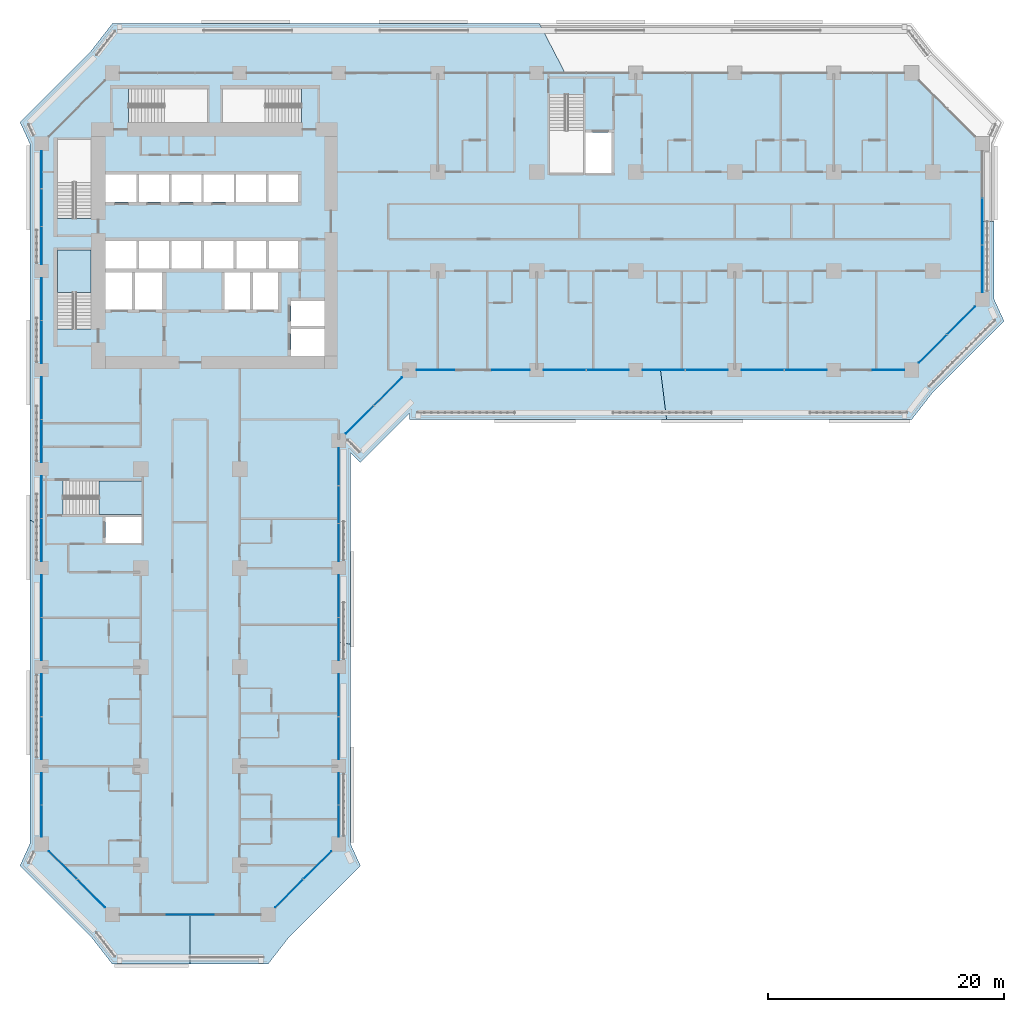
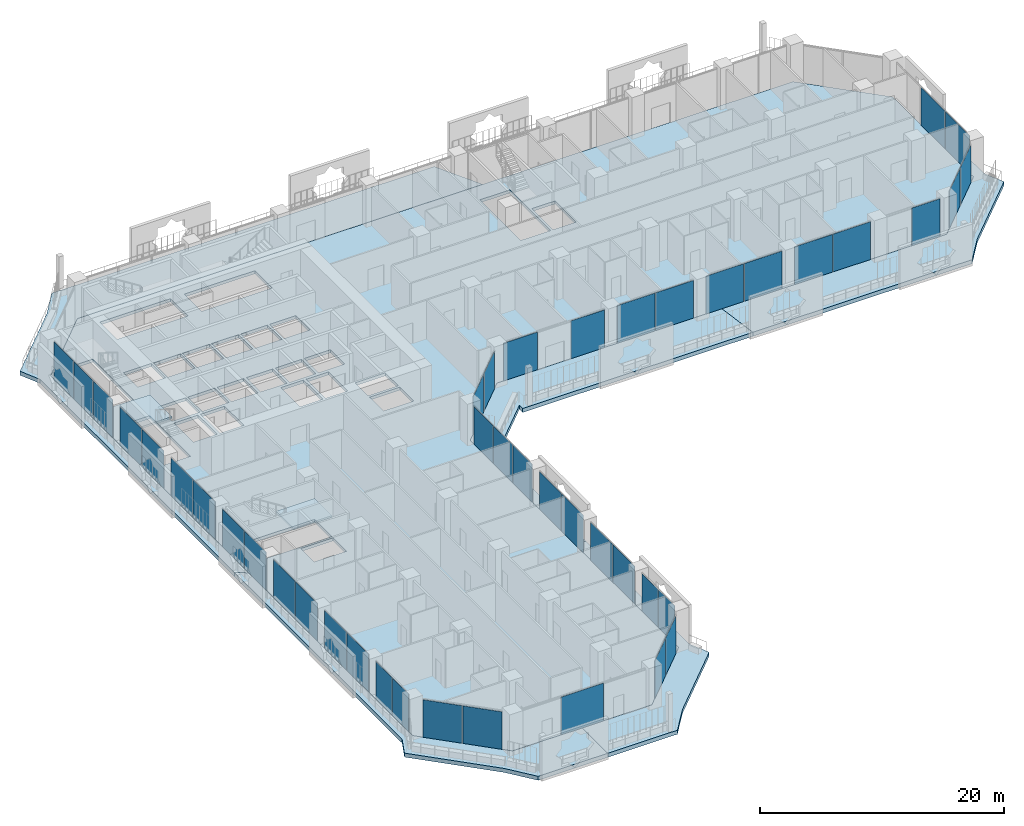
# One storey, part 11 of 28: 44 plates, 8 slabs, 11 elements without a shape of their own.
"""IFC4 building model written with IfcOpenShell, lengths in metres."""

import ifcopenshell
import ifcopenshell.guid

model = None  # the IFC model being written
_history = None  # IfcOwnerHistory: only IFC2X3 demands one
_inside = {}  # id of a spatial element -> (the spatial element, [elements in it])
_under = {}  # id of a project, library or spatial element -> (it, [spatial elements below it])
_declared = {}  # id of a project -> (the project, [libraries it declares])
_typed = {}  # id of a type object -> (the type object, [elements of that type])
_made_of = {}  # id of a material, layer set ... -> (it, [elements and type objects made of it])


def new_model(schema):
    """Start an empty IFC model of exactly this schema.

    Asked for "IFC4X3", IfcOpenShell would pick the latest addendum, in which some entities
    have other attributes; the version numbers below select the first issue.
    IFC2X3 requires an IfcOwnerHistory on every rooted entity: one is made here for all.
    """
    global model, _history
    if schema == "IFC4X3":
        model = ifcopenshell.file(schema_version=(4, 3, 0, 0))
    else:
        model = ifcopenshell.file(schema=schema)
    _inside.clear()
    _under.clear()
    _declared.clear()
    _typed.clear()
    _made_of.clear()
    _history = None
    if model.schema == "IFC2X3":
        org = make("IfcOrganization", Name="unknown")
        user = make(
            "IfcPersonAndOrganization",
            ThePerson=make("IfcPerson", FamilyName="unknown"),
            TheOrganization=org,
        )
        app = make(
            "IfcApplication",
            ApplicationDeveloper=org,
            Version="unknown",
            ApplicationFullName="unknown",
            ApplicationIdentifier="unknown",
        )
        _history = make(
            "IfcOwnerHistory",
            OwningUser=user,
            OwningApplication=app,
            ChangeAction="ADDED",
            CreationDate=0,
        )
    return model


def make(cls, **values):
    """One entity of the class cls with the attributes given. An attribute that is None is left unset."""
    return model.create_entity(
        cls, **{name: value for name, value in values.items() if value is not None}
    )


def rooted(cls, **values):
    """An entity with a GlobalId (a new one), such as an element, a storey or a relation."""
    return make(cls, GlobalId=ifcopenshell.guid.new(), OwnerHistory=_history, **values)


def si_unit(unit_type, name, prefix=None):
    """IfcSIUnit, for example si_unit("LENGTHUNIT", "METRE", prefix="MILLI")."""
    return make("IfcSIUnit", UnitType=unit_type, Prefix=prefix, Name=name)


def assignment(units):
    """IfcUnitAssignment: the units of a project."""
    return None if units is None else make("IfcUnitAssignment", Units=units)


def point(xyz):
    """IfcCartesianPoint."""
    return None if xyz is None else make("IfcCartesianPoint", Coordinates=xyz)


def direction(xyz):
    """IfcDirection."""
    return None if xyz is None else make("IfcDirection", DirectionRatios=xyz)


def frame(location, z_axis=None, x_axis=None):
    """IfcAxis2Placement3D, a coordinate frame: its origin and axes. An axis left out is left unset."""
    return make(
        "IfcAxis2Placement3D",
        Location=point(location),
        Axis=direction(z_axis),
        RefDirection=direction(x_axis),
    )


def frame_2d(location, x_axis=None):
    """IfcAxis2Placement2D, a coordinate frame in the plane: its origin and x axis."""
    return make(
        "IfcAxis2Placement2D", Location=point(location), RefDirection=direction(x_axis)
    )


def origin():
    """The frame at (0, 0, 0) with its axes left unset."""
    return frame((0.0, 0.0, 0.0))


def origin_2d():
    """The frame at (0, 0) in the plane with its x axis left unset."""
    return frame_2d((0.0, 0.0))


def place(relative_to, where):
    """IfcLocalPlacement: puts the frame where relative to a parent placement (None: the world)."""
    return make(
        "IfcLocalPlacement", PlacementRelTo=relative_to, RelativePlacement=where
    )


def context(
    kind, dimensions, precision=None, world=None, true_north=None, identifier=None
):
    """IfcGeometricRepresentationContext, for example the 3D "Model" context."""
    return make(
        "IfcGeometricRepresentationContext",
        ContextIdentifier=identifier,
        ContextType=kind,
        CoordinateSpaceDimension=dimensions,
        Precision=precision,
        WorldCoordinateSystem=world,
        TrueNorth=true_north,
    )


def subcontext(parent, identifier, kind, view, scale=None):
    """IfcGeometricRepresentationSubContext, for example "Body" below "Model"."""
    return make(
        "IfcGeometricRepresentationSubContext",
        ContextIdentifier=identifier,
        ContextType=kind,
        ParentContext=parent,
        TargetScale=scale,
        TargetView=view,
    )


def project(units=None, contexts=None):
    """IfcProject with its units and contexts."""
    return rooted(
        "IfcProject",
        Name="project",
        RepresentationContexts=contexts,
        UnitsInContext=assignment(units),
    )


def spatial(cls, under=None, at=None, **own):
    """A site, building, storey or space (cls), placed at a placement, below another one or the project."""
    s = rooted(cls, ObjectPlacement=at, **own)
    if under is not None:
        _under.setdefault(under.id(), (under, []))[1].append(s)
    return s


def polyline(points):
    """IfcPolyline through the points."""
    return make("IfcPolyline", Points=[point(p) for p in points])


def profile(cls, at=None, kind="AREA", **sizes):
    """A parametric profile (cls). Its sizes go by their IFC names, for example OverallWidth=200.0."""
    return make(cls, ProfileType=kind, Position=at, **sizes)


def rectangle(**sizes):
    """IfcRectangleProfileDef."""
    return profile("IfcRectangleProfileDef", **sizes)


def outline(outer, holes=None, kind="AREA"):
    """IfcArbitraryClosedProfileDef: a profile drawn as a closed curve; with holes, ...WithVoids."""
    if holes is None:
        return make("IfcArbitraryClosedProfileDef", ProfileType=kind, OuterCurve=outer)
    return make(
        "IfcArbitraryProfileDefWithVoids",
        ProfileType=kind,
        OuterCurve=outer,
        InnerCurves=holes,
    )


def extrude(swept, where, along, depth):
    """IfcExtrudedAreaSolid: the profile swept, set in the frame where, extruded along a direction by depth."""
    return make(
        "IfcExtrudedAreaSolid",
        SweptArea=swept,
        Position=where,
        ExtrudedDirection=direction(along),
        Depth=depth,
    )


def shape(context_of_items, identifier, shape_type, items):
    """IfcShapeRepresentation: the items that make up one representation, for example the "Body"."""
    return make(
        "IfcShapeRepresentation",
        ContextOfItems=context_of_items,
        RepresentationIdentifier=identifier,
        RepresentationType=shape_type,
        Items=items,
    )


def material(Name=None, Category=None):
    """IfcMaterial."""
    return make("IfcMaterial", Name=Name, Category=Category)


def layer(
    of_material, thickness, ventilated=None, Name=None, Category=None, Priority=None
):
    """IfcMaterialLayer: one layer of a wall or slab, of a material (None: an air gap)."""
    return make(
        "IfcMaterialLayer",
        Material=of_material,
        LayerThickness=thickness,
        IsVentilated=ventilated,
        Name=Name,
        Category=Category,
        Priority=Priority,
    )


def layer_set(layers, Name=None):
    """IfcMaterialLayerSet."""
    return make("IfcMaterialLayerSet", MaterialLayers=layers, LayerSetName=Name)


def made_of(thing, what):
    """Note that an element or type object is made of a material, layer set ...; save() writes the relation."""
    if what is not None:
        _made_of.setdefault(what.id(), (what, []))[1].append(thing)
    return thing


def type_object(cls, material=None, **own):
    """A type object (cls), such as IfcWallType, which elements share."""
    return made_of(rooted(cls, **own), material)


def element(
    cls,
    number,
    at=None,
    inside=None,
    cuts=None,
    type_object=None,
    material=None,
    context=None,
    identifier="Body",
    shape_type=None,
    held_by="IfcProductDefinitionShape",
    body=None,
    shapes=None,
    **own,
):
    """One element of the class cls, such as IfcWall. Its Tag is "e" and its number.

    at: its placement. inside: the storey or other place that contains it. cuts: it is an
    opening in that element (IfcRelVoidsElement). A single representation is given by context,
    identifier, shape_type and body (its items); several are given by shapes. held_by: the class
    of the entity that holds the representations. save() writes the other relations.
    """
    e = rooted(cls, Tag="e%d" % number, ObjectPlacement=at, **own)
    if body is not None:
        shapes = [shape(context, identifier, shape_type, body)]
    if shapes is not None:
        e.Representation = make(held_by, Representations=shapes)
    if inside is not None:
        _inside.setdefault(inside.id(), (inside, []))[1].append(e)
    if cuts is not None:
        rooted(
            "IfcRelVoidsElement", RelatingBuildingElement=cuts, RelatedOpeningElement=e
        )
    if type_object is not None:
        _typed.setdefault(type_object.id(), (type_object, []))[1].append(e)
    return made_of(e, material)


def aggregate(whole, parts):
    """IfcRelAggregates: a whole, such as a stair, and the parts it consists of."""
    return rooted("IfcRelAggregates", RelatingObject=whole, RelatedObjects=parts)


def save(model, path):
    """Write the relations noted so far, then the file.

    IfcRelAggregates (storeys below a building ...), IfcRelContainedInSpatialStructure (elements
    in a storey), IfcRelDefinesByType, IfcRelAssociatesMaterial and IfcRelDeclares: one each for
    every whole, place, type object, material and project.
    """
    for whole, parts in _under.values():
        aggregate(whole, parts)
    for where, things in _inside.values():
        rooted(
            "IfcRelContainedInSpatialStructure",
            RelatedElements=things,
            RelatingStructure=where,
        )
    for kind, things in _typed.values():
        rooted("IfcRelDefinesByType", RelatedObjects=things, RelatingType=kind)
    for what, things in _made_of.values():
        rooted("IfcRelAssociatesMaterial", RelatedObjects=things, RelatingMaterial=what)
    for by, libraries in _declared.values():
        rooted("IfcRelDeclares", RelatingContext=by, RelatedDefinitions=libraries)
    model.write(path)


model = new_model("IFC4")

# Units and contexts
model_context = context("Model", 3, precision=1e-05, world=origin(), true_north=direction((0.0, 1.0)))
body_context = subcontext(model_context, "Body", "Model", "MODEL_VIEW")
ifc_project = project(units=[si_unit("LENGTHUNIT", "METRE"), si_unit("AREAUNIT", "SQUARE_METRE"), si_unit("VOLUMEUNIT", "CUBIC_METRE"), si_unit("PLANEANGLEUNIT", "RADIAN"), si_unit("MASSUNIT", "GRAM", prefix="KILO")], contexts=[model_context])

# Site, building, storey
site_placement = place(None, origin())
site = spatial("IfcSite", under=ifc_project, at=site_placement, CompositionType="ELEMENT")
building_placement = place(site_placement, origin())
building = spatial("IfcBuilding", under=site, at=building_placement, Name="Kawkab Arch Medical Tower", CompositionType="ELEMENT")
storey_placement = place(building_placement, frame((0.0, 0.0, 77.0)))
storey = spatial("IfcBuildingStorey", under=building, at=storey_placement, Name="L17", CompositionType="ELEMENT", Elevation=77.0)

# Curtain wall, plates
ifc_material_1 = material(Name="Bronze anodised aluminium curtain wall frame", Category="aluminium")
ifc_layer_1 = layer(ifc_material_1, 0.159912109375)
ifc_layer_set_1 = layer_set([ifc_layer_1], Name="Bronze anodised aluminium curtain wall frame")
curtain_wall_type_1 = type_object("IfcCurtainWallType", Name="CW1 ward curtain wall", PredefinedType="NOTDEFINED", material=ifc_layer_set_1)
placement_1 = place(storey_placement, origin())
curtain_wall_1 = element("IfcCurtainWall", 1, at=placement_1, inside=storey, type_object=curtain_wall_type_1, Name="CW1 Ward curtain wall R01", PredefinedType="NOTDEFINED")
ifc_material_2 = material(Name="Tinted insulating glass, bronze low-e coating", Category="glass")
ifc_layer_2 = layer(ifc_material_2, 0.031982421875)
ifc_layer_set_2 = layer_set([ifc_layer_2], Name="Tinted insulating glass, bronze low-e coating")
plate_type_1 = type_object("IfcPlateType", Name="CW1 glazing unit 32", PredefinedType="CURTAIN_PANEL", material=ifc_layer_set_2)
plate_1_placement = place(storey_placement, frame((0.0, -8.205810546875, 0.0), z_axis=(0.0, 0.0, 1.0), x_axis=(0.0, -1.0, 0.0)))
plate_1 = element("IfcPlate", 2, at=plate_1_placement, type_object=plate_type_1, Name="CW1 glazing unit 1.1", PredefinedType="CURTAIN_PANEL", context=body_context, shape_type="SweptSolid", body=[
    extrude(rectangle(XDim=3.16162109375, YDim=0.031982421875, at=origin_2d()), origin(), (0.0, 0.0, 1.0), 3.780029296875),
])
plate_2_placement = place(storey_placement, frame((0.0, -11.41259765625, 0.0), z_axis=(0.0, 0.0, 1.0), x_axis=(0.0, -1.0, 0.0)))
plate_2 = element("IfcPlate", 3, at=plate_2_placement, type_object=plate_type_1, Name="CW1 glazing unit 1.2", PredefinedType="CURTAIN_PANEL", context=body_context, shape_type="SweptSolid", body=[
    extrude(rectangle(XDim=3.131591796875, YDim=0.031982421875, at=origin_2d()), origin(), (0.0, 0.0, 1.0), 3.780029296875),
])
plate_3_placement = place(storey_placement, frame((0.0, -14.619140625, 0.0), z_axis=(0.0, 0.0, 1.0), x_axis=(0.0, -1.0, 0.0)))
plate_3 = element("IfcPlate", 4, at=plate_3_placement, type_object=plate_type_1, Name="CW1 glazing unit 1.3", PredefinedType="CURTAIN_PANEL", context=body_context, shape_type="SweptSolid", body=[
    extrude(rectangle(XDim=3.16162109375, YDim=0.031982421875, at=origin_2d()), origin(), (0.0, 0.0, 1.0), 3.780029296875),
])
plate_4_placement = place(storey_placement, frame((0.0, -19.18505859375, 0.0), z_axis=(0.0, 0.0, 1.0), x_axis=(0.0, -1.0, 0.0)))
plate_4 = element("IfcPlate", 5, at=plate_4_placement, type_object=plate_type_1, Name="CW1 glazing unit 2.1", PredefinedType="CURTAIN_PANEL", context=body_context, shape_type="SweptSolid", body=[
    extrude(rectangle(XDim=3.570068359375, YDim=0.031982421875, at=origin_2d()), origin(), (0.0, 0.0, 1.0), 3.780029296875),
])
plate_5_placement = place(storey_placement, frame((0.0, -22.81494140625, 0.0), z_axis=(0.0, 0.0, 1.0), x_axis=(0.0, -1.0, 0.0)))
plate_5 = element("IfcPlate", 6, at=plate_5_placement, type_object=plate_type_1, Name="CW1 glazing unit 2.2", PredefinedType="CURTAIN_PANEL", context=body_context, shape_type="SweptSolid", body=[
    extrude(rectangle(XDim=3.570068359375, YDim=0.031982421875, at=origin_2d()), origin(), (0.0, 0.0, 1.0), 3.780029296875),
])
plate_6_placement = place(storey_placement, frame((0.0, -27.5849609375, 0.0), z_axis=(0.0, 0.0, 1.0), x_axis=(0.0, -1.0, 0.0)))
plate_6 = element("IfcPlate", 7, at=plate_6_placement, type_object=plate_type_1, Name="CW1 glazing unit 3.1", PredefinedType="CURTAIN_PANEL", context=body_context, shape_type="SweptSolid", body=[
    extrude(rectangle(XDim=3.570068359375, YDim=0.031982421875, at=origin_2d()), origin(), (0.0, 0.0, 1.0), 3.780029296875),
])
plate_7_placement = place(storey_placement, frame((0.0, -31.215087890625, 0.0), z_axis=(0.0, 0.0, 1.0), x_axis=(0.0, -1.0, 0.0)))
plate_7 = element("IfcPlate", 8, at=plate_7_placement, type_object=plate_type_1, Name="CW1 glazing unit 3.2", PredefinedType="CURTAIN_PANEL", context=body_context, shape_type="SweptSolid", body=[
    extrude(rectangle(XDim=3.570068359375, YDim=0.031982421875, at=origin_2d()), origin(), (0.0, 0.0, 1.0), 3.780029296875),
])
plate_8_placement = place(storey_placement, frame((0.0, -35.985107421875, 0.0), z_axis=(0.0, 0.0, 1.0), x_axis=(0.0, -1.0, 0.0)))
plate_8 = element("IfcPlate", 9, at=plate_8_placement, type_object=plate_type_1, Name="CW1 glazing unit 4.1", PredefinedType="CURTAIN_PANEL", context=body_context, shape_type="SweptSolid", body=[
    extrude(rectangle(XDim=3.570068359375, YDim=0.031982421875, at=origin_2d()), origin(), (0.0, 0.0, 1.0), 3.780029296875),
])
plate_9_placement = place(storey_placement, frame((0.0, -39.614990234375, 0.0), z_axis=(0.0, 0.0, 1.0), x_axis=(0.0, -1.0, 0.0)))
plate_9 = element("IfcPlate", 10, at=plate_9_placement, type_object=plate_type_1, Name="CW1 glazing unit 4.2", PredefinedType="CURTAIN_PANEL", context=body_context, shape_type="SweptSolid", body=[
    extrude(rectangle(XDim=3.570068359375, YDim=0.031982421875, at=origin_2d()), origin(), (0.0, 0.0, 1.0), 3.780029296875),
])
plate_10_placement = place(storey_placement, frame((0.0, -44.385009765625, 0.0), z_axis=(0.0, 0.0, 1.0), x_axis=(0.0, -1.0, 0.0)))
plate_10 = element("IfcPlate", 11, at=plate_10_placement, type_object=plate_type_1, Name="CW1 glazing unit 5.1", PredefinedType="CURTAIN_PANEL", context=body_context, shape_type="SweptSolid", body=[
    extrude(rectangle(XDim=3.570068359375, YDim=0.031982421875, at=origin_2d()), origin(), (0.0, 0.0, 1.0), 3.780029296875),
])
plate_11_placement = place(storey_placement, frame((0.0, -48.014892578125, 0.0), z_axis=(0.0, 0.0, 1.0), x_axis=(0.0, -1.0, 0.0)))
plate_11 = element("IfcPlate", 12, at=plate_11_placement, type_object=plate_type_1, Name="CW1 glazing unit 5.2", PredefinedType="CURTAIN_PANEL", context=body_context, shape_type="SweptSolid", body=[
    extrude(rectangle(XDim=3.570068359375, YDim=0.031982421875, at=origin_2d()), origin(), (0.0, 0.0, 1.0), 3.780029296875),
])
plate_12_placement = place(storey_placement, frame((0.0, -52.784912109375, 0.0), z_axis=(0.0, 0.0, 1.0), x_axis=(0.0, -1.0, 0.0)))
plate_12 = element("IfcPlate", 13, at=plate_12_placement, type_object=plate_type_1, Name="CW1 glazing unit 6.1", PredefinedType="CURTAIN_PANEL", context=body_context, shape_type="SweptSolid", body=[
    extrude(rectangle(XDim=3.570068359375, YDim=0.031982421875, at=origin_2d()), origin(), (0.0, 0.0, 1.0), 3.780029296875),
])
plate_13_placement = place(storey_placement, frame((0.0, -56.4150390625, 0.0), z_axis=(0.0, 0.0, 1.0), x_axis=(0.0, -1.0, 0.0)))
plate_13 = element("IfcPlate", 14, at=plate_13_placement, type_object=plate_type_1, Name="CW1 glazing unit 6.2", PredefinedType="CURTAIN_PANEL", context=body_context, shape_type="SweptSolid", body=[
    extrude(rectangle(XDim=3.570068359375, YDim=0.031982421875, at=origin_2d()), origin(), (0.0, 0.0, 1.0), 3.780029296875),
])
plate_14_placement = place(storey_placement, frame((0.0, -60.728759765625, 0.0), z_axis=(0.0, 0.0, 1.0), x_axis=(0.0, -1.0, 0.0)))
plate_14 = element("IfcPlate", 15, at=plate_14_placement, type_object=plate_type_1, Name="CW1 glazing unit 7.1", PredefinedType="CURTAIN_PANEL", context=body_context, shape_type="SweptSolid", body=[
    extrude(rectangle(XDim=2.657470703125, YDim=0.031982421875, at=origin_2d()), origin(), (0.0, 0.0, 1.0), 3.780029296875),
])
plate_15_placement = place(storey_placement, frame((0.0, -63.4462890625, 0.0), z_axis=(0.0, 0.0, 1.0), x_axis=(0.0, -1.0, 0.0)))
plate_15 = element("IfcPlate", 16, at=plate_15_placement, type_object=plate_type_1, Name="CW1 glazing unit 7.2", PredefinedType="CURTAIN_PANEL", context=body_context, shape_type="SweptSolid", body=[
    extrude(rectangle(XDim=2.657470703125, YDim=0.031982421875, at=origin_2d()), origin(), (0.0, 0.0, 1.0), 3.780029296875),
])
aggregate(curtain_wall_1, [plate_1, plate_2, plate_3, plate_4, plate_5, plate_6, plate_7, plate_8, plate_9, plate_10, plate_11, plate_12, plate_13, plate_14, plate_15])

# Curtain wall, plate
curtain_wall_2 = element("IfcCurtainWall", 17, at=placement_1, inside=storey, type_object=curtain_wall_type_1, Name="CW1 Ward curtain wall R03", PredefinedType="NOTDEFINED")
plate_16_placement = place(storey_placement, frame((12.60009765625, -71.39990234375, 0.0), z_axis=(0.0, 0.0, 1.0), x_axis=(1.0, 0.0, 0.0)))
plate_16 = element("IfcPlate", 18, at=plate_16_placement, type_object=plate_type_1, Name="CW1 glazing unit 1.2", PredefinedType="CURTAIN_PANEL", context=body_context, shape_type="SweptSolid", body=[
    extrude(rectangle(XDim=3.9833984375, YDim=0.031982421875, at=origin_2d()), origin(), (0.0, 0.0, 1.0), 3.780029296875),
])
aggregate(curtain_wall_2, [plate_16])

# Curtain wall, plates
curtain_wall_3 = element("IfcCurtainWall", 19, at=placement_1, inside=storey, type_object=curtain_wall_type_1, Name="CW1 Ward curtain wall R05", PredefinedType="NOTDEFINED")
plate_17_placement = place(storey_placement, frame((25.199951171875, -63.4462890625, 0.0), z_axis=(0.0, 0.0, 1.0), x_axis=(0.0, 1.0, 0.0)))
plate_17 = element("IfcPlate", 20, at=plate_17_placement, type_object=plate_type_1, Name="CW1 glazing unit 1.1", PredefinedType="CURTAIN_PANEL", context=body_context, shape_type="SweptSolid", body=[
    extrude(rectangle(XDim=2.657470703125, YDim=0.031982421875, at=origin_2d()), origin(), (0.0, 0.0, 1.0), 3.780029296875),
])
plate_18_placement = place(storey_placement, frame((25.199951171875, -60.728759765625, 0.0), z_axis=(0.0, 0.0, 1.0), x_axis=(0.0, 1.0, 0.0)))
plate_18 = element("IfcPlate", 21, at=plate_18_placement, type_object=plate_type_1, Name="CW1 glazing unit 1.2", PredefinedType="CURTAIN_PANEL", context=body_context, shape_type="SweptSolid", body=[
    extrude(rectangle(XDim=2.657470703125, YDim=0.031982421875, at=origin_2d()), origin(), (0.0, 0.0, 1.0), 3.780029296875),
])
plate_19_placement = place(storey_placement, frame((25.199951171875, -56.4150390625, 0.0), z_axis=(0.0, 0.0, 1.0), x_axis=(0.0, 1.0, 0.0)))
plate_19 = element("IfcPlate", 22, at=plate_19_placement, type_object=plate_type_1, Name="CW1 glazing unit 2.1", PredefinedType="CURTAIN_PANEL", context=body_context, shape_type="SweptSolid", body=[
    extrude(rectangle(XDim=3.570068359375, YDim=0.031982421875, at=origin_2d()), origin(), (0.0, 0.0, 1.0), 3.780029296875),
])
plate_20_placement = place(storey_placement, frame((25.199951171875, -52.784912109375, 0.0), z_axis=(0.0, 0.0, 1.0), x_axis=(0.0, 1.0, 0.0)))
plate_20 = element("IfcPlate", 23, at=plate_20_placement, type_object=plate_type_1, Name="CW1 glazing unit 2.2", PredefinedType="CURTAIN_PANEL", context=body_context, shape_type="SweptSolid", body=[
    extrude(rectangle(XDim=3.570068359375, YDim=0.031982421875, at=origin_2d()), origin(), (0.0, 0.0, 1.0), 3.780029296875),
])
plate_21_placement = place(storey_placement, frame((25.199951171875, -48.014892578125, 0.0), z_axis=(0.0, 0.0, 1.0), x_axis=(0.0, 1.0, 0.0)))
plate_21 = element("IfcPlate", 24, at=plate_21_placement, type_object=plate_type_1, Name="CW1 glazing unit 3.1", PredefinedType="CURTAIN_PANEL", context=body_context, shape_type="SweptSolid", body=[
    extrude(rectangle(XDim=3.570068359375, YDim=0.031982421875, at=origin_2d()), origin(), (0.0, 0.0, 1.0), 3.780029296875),
])
plate_22_placement = place(storey_placement, frame((25.199951171875, -44.385009765625, 0.0), z_axis=(0.0, 0.0, 1.0), x_axis=(0.0, 1.0, 0.0)))
plate_22 = element("IfcPlate", 25, at=plate_22_placement, type_object=plate_type_1, Name="CW1 glazing unit 3.2", PredefinedType="CURTAIN_PANEL", context=body_context, shape_type="SweptSolid", body=[
    extrude(rectangle(XDim=3.570068359375, YDim=0.031982421875, at=origin_2d()), origin(), (0.0, 0.0, 1.0), 3.780029296875),
])
plate_23_placement = place(storey_placement, frame((25.199951171875, -39.819091796875, 0.0), z_axis=(0.0, 0.0, 1.0), x_axis=(0.0, 1.0, 0.0)))
plate_23 = element("IfcPlate", 26, at=plate_23_placement, type_object=plate_type_1, Name="CW1 glazing unit 4.1", PredefinedType="CURTAIN_PANEL", context=body_context, shape_type="SweptSolid", body=[
    extrude(rectangle(XDim=3.16162109375, YDim=0.031982421875, at=origin_2d()), origin(), (0.0, 0.0, 1.0), 3.780029296875),
])
plate_24_placement = place(storey_placement, frame((25.199951171875, -36.612548828125, 0.0), z_axis=(0.0, 0.0, 1.0), x_axis=(0.0, 1.0, 0.0)))
plate_24 = element("IfcPlate", 27, at=plate_24_placement, type_object=plate_type_1, Name="CW1 glazing unit 4.2", PredefinedType="CURTAIN_PANEL", context=body_context, shape_type="SweptSolid", body=[
    extrude(rectangle(XDim=3.131591796875, YDim=0.031982421875, at=origin_2d()), origin(), (0.0, 0.0, 1.0), 3.780029296875),
])
plate_25_placement = place(storey_placement, frame((25.199951171875, -33.40576171875, 0.0), z_axis=(0.0, 0.0, 1.0), x_axis=(0.0, 1.0, 0.0)))
plate_25 = element("IfcPlate", 28, at=plate_25_placement, type_object=plate_type_1, Name="CW1 glazing unit 4.3", PredefinedType="CURTAIN_PANEL", context=body_context, shape_type="SweptSolid", body=[
    extrude(rectangle(XDim=3.16162109375, YDim=0.031982421875, at=origin_2d()), origin(), (0.0, 0.0, 1.0), 3.780029296875),
])
aggregate(curtain_wall_3, [plate_17, plate_18, plate_19, plate_20, plate_21, plate_22, plate_23, plate_24, plate_25])

curtain_wall_4 = element("IfcCurtainWall", 29, at=placement_1, inside=storey, type_object=curtain_wall_type_1, Name="CW1 Ward curtain wall R07", PredefinedType="NOTDEFINED")
plate_26_placement = place(storey_placement, frame((33.4208984375, -25.199951171875, 0.0), z_axis=(0.0, 0.0, 1.0), x_axis=(1.0, 0.0, 0.0)))
plate_26 = element("IfcPlate", 30, at=plate_26_placement, type_object=plate_type_1, Name="CW1 glazing unit 1.1", PredefinedType="CURTAIN_PANEL", context=body_context, shape_type="SweptSolid", body=[
    extrude(rectangle(XDim=3.191650390625, YDim=0.031982421875, at=origin_2d()), origin(), (0.0, 0.0, 1.0), 3.780029296875),
])
plate_27_placement = place(storey_placement, frame((39.80419921875, -25.199951171875, 0.0), z_axis=(0.0, 0.0, 1.0), x_axis=(1.0, 0.0, 0.0)))
plate_27 = element("IfcPlate", 31, at=plate_27_placement, type_object=plate_type_1, Name="CW1 glazing unit 1.3", PredefinedType="CURTAIN_PANEL", context=body_context, shape_type="SweptSolid", body=[
    extrude(rectangle(XDim=3.191650390625, YDim=0.031982421875, at=origin_2d()), origin(), (0.0, 0.0, 1.0), 3.780029296875),
])
plate_28_placement = place(storey_placement, frame((44.385009765625, -25.199951171875, 0.0), z_axis=(0.0, 0.0, 1.0), x_axis=(1.0, 0.0, 0.0)))
plate_28 = element("IfcPlate", 32, at=plate_28_placement, type_object=plate_type_1, Name="CW1 glazing unit 2.1", PredefinedType="CURTAIN_PANEL", context=body_context, shape_type="SweptSolid", body=[
    extrude(rectangle(XDim=3.570068359375, YDim=0.031982421875, at=origin_2d()), origin(), (0.0, 0.0, 1.0), 3.780029296875),
])
plate_29_placement = place(storey_placement, frame((48.014892578125, -25.199951171875, 0.0), z_axis=(0.0, 0.0, 1.0), x_axis=(1.0, 0.0, 0.0)))
plate_29 = element("IfcPlate", 33, at=plate_29_placement, type_object=plate_type_1, Name="CW1 glazing unit 2.2", PredefinedType="CURTAIN_PANEL", context=body_context, shape_type="SweptSolid", body=[
    extrude(rectangle(XDim=3.570068359375, YDim=0.031982421875, at=origin_2d()), origin(), (0.0, 0.0, 1.0), 3.780029296875),
])
plate_30_placement = place(storey_placement, frame((52.784912109375, -25.199951171875, 0.0), z_axis=(0.0, 0.0, 1.0), x_axis=(1.0, 0.0, 0.0)))
plate_30 = element("IfcPlate", 34, at=plate_30_placement, type_object=plate_type_1, Name="CW1 glazing unit 3.1", PredefinedType="CURTAIN_PANEL", context=body_context, shape_type="SweptSolid", body=[
    extrude(rectangle(XDim=3.570068359375, YDim=0.031982421875, at=origin_2d()), origin(), (0.0, 0.0, 1.0), 3.780029296875),
])
plate_31_placement = place(storey_placement, frame((56.4150390625, -25.199951171875, 0.0), z_axis=(0.0, 0.0, 1.0), x_axis=(1.0, 0.0, 0.0)))
plate_31 = element("IfcPlate", 35, at=plate_31_placement, type_object=plate_type_1, Name="CW1 glazing unit 3.2", PredefinedType="CURTAIN_PANEL", context=body_context, shape_type="SweptSolid", body=[
    extrude(rectangle(XDim=3.570068359375, YDim=0.031982421875, at=origin_2d()), origin(), (0.0, 0.0, 1.0), 3.780029296875),
])
plate_32_placement = place(storey_placement, frame((61.18505859375, -25.199951171875, 0.0), z_axis=(0.0, 0.0, 1.0), x_axis=(1.0, 0.0, 0.0)))
plate_32 = element("IfcPlate", 36, at=plate_32_placement, type_object=plate_type_1, Name="CW1 glazing unit 4.1", PredefinedType="CURTAIN_PANEL", context=body_context, shape_type="SweptSolid", body=[
    extrude(rectangle(XDim=3.570068359375, YDim=0.031982421875, at=origin_2d()), origin(), (0.0, 0.0, 1.0), 3.780029296875),
])
plate_33_placement = place(storey_placement, frame((64.81494140625, -25.199951171875, 0.0), z_axis=(0.0, 0.0, 1.0), x_axis=(1.0, 0.0, 0.0)))
plate_33 = element("IfcPlate", 37, at=plate_33_placement, type_object=plate_type_1, Name="CW1 glazing unit 4.2", PredefinedType="CURTAIN_PANEL", context=body_context, shape_type="SweptSolid", body=[
    extrude(rectangle(XDim=3.570068359375, YDim=0.031982421875, at=origin_2d()), origin(), (0.0, 0.0, 1.0), 3.780029296875),
])
plate_34_placement = place(storey_placement, frame((71.831298828125, -25.199951171875, 0.0), z_axis=(0.0, 0.0, 1.0), x_axis=(1.0, 0.0, 0.0)))
plate_34 = element("IfcPlate", 38, at=plate_34_placement, type_object=plate_type_1, Name="CW1 glazing unit 5.2", PredefinedType="CURTAIN_PANEL", context=body_context, shape_type="SweptSolid", body=[
    extrude(rectangle(XDim=2.6875, YDim=0.031982421875, at=origin_2d()), origin(), (0.0, 0.0, 1.0), 3.780029296875),
])
aggregate(curtain_wall_4, [plate_26, plate_27, plate_28, plate_29, plate_30, plate_31, plate_32, plate_33, plate_34])

curtain_wall_5 = element("IfcCurtainWall", 39, at=placement_1, inside=storey, type_object=curtain_wall_type_1, Name="CW1 Ward curtain wall R09", PredefinedType="NOTDEFINED")
plate_35_placement = place(storey_placement, frame((79.800048828125, -16.598388671875, 0.0), z_axis=(0.0, 0.0, 1.0), x_axis=(0.0, 1.0, 0.0)))
plate_35 = element("IfcPlate", 40, at=plate_35_placement, type_object=plate_type_1, Name="CW1 glazing unit 1.1", PredefinedType="CURTAIN_PANEL", context=body_context, shape_type="SweptSolid", body=[
    extrude(rectangle(XDim=3.953369140625, YDim=0.031982421875, at=origin_2d()), origin(), (0.0, 0.0, 1.0), 3.780029296875),
])
plate_36_placement = place(storey_placement, frame((79.800048828125, -12.60009765625, 0.0), z_axis=(0.0, 0.0, 1.0), x_axis=(0.0, 1.0, 0.0)))
plate_36 = element("IfcPlate", 41, at=plate_36_placement, type_object=plate_type_1, Name="CW1 glazing unit 1.2", PredefinedType="CURTAIN_PANEL", context=body_context, shape_type="SweptSolid", body=[
    extrude(rectangle(XDim=3.92333984375, YDim=0.031982421875, at=origin_2d()), origin(), (0.0, 0.0, 1.0), 3.780029296875),
])
aggregate(curtain_wall_5, [plate_35, plate_36])

ifc_material_3 = material(Name="Bronze anodised aluminium curtain wall frame", Category="aluminium")
ifc_layer_3 = layer(ifc_material_3, 0.159912109375)
ifc_layer_set_3 = layer_set([ifc_layer_3], Name="Bronze anodised aluminium curtain wall frame")
curtain_wall_type_2 = type_object("IfcCurtainWallType", Name="CW2 chamfer curtain wall", PredefinedType="NOTDEFINED", material=ifc_layer_set_3)
curtain_wall_6 = element("IfcCurtainWall", 42, at=placement_1, inside=storey, type_object=curtain_wall_type_2, Name="CW2 Chamfer curtain wall R02", PredefinedType="NOTDEFINED")
ifc_material_4 = material(Name="Tinted insulating glass, bronze low-e coating", Category="glass")
ifc_layer_4 = layer(ifc_material_4, 0.031982421875)
ifc_layer_set_4 = layer_set([ifc_layer_4], Name="Tinted insulating glass, bronze low-e coating")
plate_type_2 = type_object("IfcPlateType", Name="CW2 glazing unit 32", PredefinedType="CURTAIN_PANEL", material=ifc_layer_set_4)
plate_37_placement = place(storey_placement, frame((1.802001953125, -67.201904296875, 0.0), z_axis=(0.0, 0.0, 1.0), x_axis=(0.707106781187, -0.707106781187, 0.0)))
plate_37 = element("IfcPlate", 43, at=plate_37_placement, type_object=plate_type_2, Name="CW2 glazing unit 1.1", PredefinedType="CURTAIN_PANEL", context=body_context, shape_type="SweptSolid", body=[
    extrude(rectangle(XDim=3.328857421875, YDim=0.031982421875, at=origin_2d()), origin(), (0.0, 0.0, 1.0), 3.760009765625),
])
plate_38_placement = place(storey_placement, frame((4.197998046875, -69.59814453125, 0.0), z_axis=(0.0, 0.0, 1.0), x_axis=(0.707106781187, -0.707106781187, 0.0)))
plate_38 = element("IfcPlate", 44, at=plate_38_placement, type_object=plate_type_2, Name="CW2 glazing unit 1.2", PredefinedType="CURTAIN_PANEL", context=body_context, shape_type="SweptSolid", body=[
    extrude(rectangle(XDim=3.328857421875, YDim=0.031982421875, at=origin_2d()), origin(), (0.0, 0.0, 1.0), 3.760009765625),
])
aggregate(curtain_wall_6, [plate_37, plate_38])

curtain_wall_7 = element("IfcCurtainWall", 45, at=placement_1, inside=storey, type_object=curtain_wall_type_2, Name="CW2 Chamfer curtain wall R04", PredefinedType="NOTDEFINED")
plate_39_placement = place(storey_placement, frame((21.001953125, -69.59814453125, 0.0), z_axis=(0.0, 0.0, 1.0), x_axis=(0.707106781187, 0.707106781187, 0.0)))
plate_39 = element("IfcPlate", 46, at=plate_39_placement, type_object=plate_type_2, Name="CW2 glazing unit 1.1", PredefinedType="CURTAIN_PANEL", context=body_context, shape_type="SweptSolid", body=[
    extrude(rectangle(XDim=3.328857421875, YDim=0.031982421875, at=origin_2d()), origin(), (0.0, 0.0, 1.0), 3.760009765625),
])
plate_40_placement = place(storey_placement, frame((23.398193359375, -67.201904296875, 0.0), z_axis=(0.0, 0.0, 1.0), x_axis=(0.707106781187, 0.707106781187, 0.0)))
plate_40 = element("IfcPlate", 47, at=plate_40_placement, type_object=plate_type_2, Name="CW2 glazing unit 1.2", PredefinedType="CURTAIN_PANEL", context=body_context, shape_type="SweptSolid", body=[
    extrude(rectangle(XDim=3.328857421875, YDim=0.031982421875, at=origin_2d()), origin(), (0.0, 0.0, 1.0), 3.760009765625),
])
aggregate(curtain_wall_7, [plate_39, plate_40])

curtain_wall_8 = element("IfcCurtainWall", 48, at=placement_1, inside=storey, type_object=curtain_wall_type_2, Name="CW2 Chamfer curtain wall R06", PredefinedType="NOTDEFINED")
plate_41_placement = place(storey_placement, frame((27.001953125, -29.398193359375, 0.0), z_axis=(0.0, 0.0, 1.0), x_axis=(0.707106781187, 0.707106781187, 0.0)))
plate_41 = element("IfcPlate", 49, at=plate_41_placement, type_object=plate_type_2, Name="CW2 glazing unit 1.1", PredefinedType="CURTAIN_PANEL", context=body_context, shape_type="SweptSolid", body=[
    extrude(rectangle(XDim=3.328857421875, YDim=0.031982421875, at=origin_2d()), origin(), (0.0, 0.0, 1.0), 3.760009765625),
])
plate_42_placement = place(storey_placement, frame((29.398193359375, -27.001953125, 0.0), z_axis=(0.0, 0.0, 1.0), x_axis=(0.707106781187, 0.707106781187, 0.0)))
plate_42 = element("IfcPlate", 50, at=plate_42_placement, type_object=plate_type_2, Name="CW2 glazing unit 1.2", PredefinedType="CURTAIN_PANEL", context=body_context, shape_type="SweptSolid", body=[
    extrude(rectangle(XDim=3.328857421875, YDim=0.031982421875, at=origin_2d()), origin(), (0.0, 0.0, 1.0), 3.760009765625),
])
aggregate(curtain_wall_8, [plate_41, plate_42])

curtain_wall_9 = element("IfcCurtainWall", 51, at=placement_1, inside=storey, type_object=curtain_wall_type_2, Name="CW2 Chamfer curtain wall R08", PredefinedType="NOTDEFINED")
plate_43_placement = place(storey_placement, frame((75.601806640625, -23.398193359375, 0.0), z_axis=(0.0, 0.0, 1.0), x_axis=(0.707106781187, 0.707106781187, 0.0)))
plate_43 = element("IfcPlate", 52, at=plate_43_placement, type_object=plate_type_2, Name="CW2 glazing unit 1.1", PredefinedType="CURTAIN_PANEL", context=body_context, shape_type="SweptSolid", body=[
    extrude(rectangle(XDim=3.328857421875, YDim=0.031982421875, at=origin_2d()), origin(), (0.0, 0.0, 1.0), 3.760009765625),
])
plate_44_placement = place(storey_placement, frame((77.998046875, -21.001953125, 0.0), z_axis=(0.0, 0.0, 1.0), x_axis=(0.707106781187, 0.707106781187, 0.0)))
plate_44 = element("IfcPlate", 53, at=plate_44_placement, type_object=plate_type_2, Name="CW2 glazing unit 1.2", PredefinedType="CURTAIN_PANEL", context=body_context, shape_type="SweptSolid", body=[
    extrude(rectangle(XDim=3.328857421875, YDim=0.031982421875, at=origin_2d()), origin(), (0.0, 0.0, 1.0), 3.760009765625),
])
aggregate(curtain_wall_9, [plate_43, plate_44])

# Stair, slab
ifc_material_5 = material(Name="Concrete C40/50", Category="concrete")
stair_type = type_object("IfcStairType", Name="Exit stair 1350", PredefinedType="HALF_TURN_STAIR", material=ifc_material_5)
stair_1 = element("IfcStair", 54, at=placement_1, inside=storey, type_object=stair_type, Name="L17 Exit stair ST2", PredefinedType="HALF_TURN_STAIR")
ifc_material_6 = material(Name="Concrete C40/50", Category="concrete")
ifc_layer_5 = layer(ifc_material_6, 0.199951171875)
ifc_layer_set_5 = layer_set([ifc_layer_5], Name="Concrete C40/50")
slab_type_1 = type_object("IfcSlabType", Name="Exit stair landing 200", PredefinedType="LANDING", material=ifc_layer_set_5)
placement_2 = place(storey_placement, frame((0.0, 0.0, 1.89990234375)))
slab_1 = element("IfcSlab", 55, at=placement_2, type_object=slab_type_1, Name="ST2 landing 1", PredefinedType="LANDING", context=body_context, shape_type="SweptSolid", body=[
    extrude(outline(polyline([(4.199951171875, -18.6201171875), (4.199951171875, -15.0), (1.35009765625, -15.0), (1.35009765625, -18.6201171875), (4.199951171875, -18.6201171875)])), origin(), (0.0, 0.0, 1.0), 0.2001953125),
])
aggregate(stair_1, [slab_1])

stair_2 = element("IfcStair", 56, at=placement_1, inside=storey, type_object=stair_type, Name="L17 Exit stair ST6", PredefinedType="HALF_TURN_STAIR")
slab_2 = element("IfcSlab", 57, at=placement_2, type_object=slab_type_1, Name="ST6 landing 1", PredefinedType="LANDING", context=body_context, shape_type="SweptSolid", body=[
    extrude(outline(polyline([(4.8798828125, -37.449951171875), (8.5, -37.449951171875), (8.5, -34.60009765625), (4.8798828125, -34.60009765625), (4.8798828125, -37.449951171875)])), origin(), (0.0, 0.0, 1.0), 0.2001953125),
])
aggregate(stair_2, [slab_2])

# Slabs
ifc_material_7 = material(Name="Concrete C40/50", Category="concrete")
ifc_layer_6 = layer(ifc_material_7, 0.300048828125)
ifc_layer_set_6 = layer_set([ifc_layer_6], Name="Concrete C40/50")
slab_type_2 = type_object("IfcSlabType", Name="Flat plate 300 C40/50", PredefinedType="FLOOR", material=ifc_layer_set_6)
slab_3_placement = place(storey_placement, frame((0.0, 0.0, -0.300048828125)))
element("IfcSlab", 58, at=slab_3_placement, inside=storey, type_object=slab_type_2, Name="Floor slab L17", PredefinedType="FLOOR", context=body_context, shape_type="SweptSolid", body=[
    extrude(outline(polyline([(6.0, 0.0), (73.800048828125, 0.0), (79.800048828125, -6.0), (79.800048828125, -19.199951171875), (73.800048828125, -25.199951171875), (31.199951171875, -25.199951171875), (25.199951171875, -31.199951171875), (25.199951171875, -65.39990234375), (19.199951171875, -71.39990234375), (6.0, -71.39990234375), (0.0, -65.39990234375), (0.0, -6.0), (6.0, 0.0)]), holes=[polyline([(5.425048828125, -37.64990234375), (5.425048828125, -39.85009765625), (8.5, -39.85009765625), (8.5, -37.64990234375), (5.425048828125, -37.64990234375)]), polyline([(1.800048828125, -37.449951171875), (8.5, -37.449951171875), (8.5, -34.60009765625), (1.800048828125, -34.60009765625), (1.800048828125, -37.449951171875)]), polyline([(5.39990234375, -16.89990234375), (5.39990234375, -20.050048828125), (7.675048828125, -20.050048828125), (7.675048828125, -16.89990234375), (5.39990234375, -16.89990234375)]), polyline([(10.199951171875, -16.89990234375), (7.925048828125, -16.89990234375), (7.925048828125, -20.050048828125), (10.199951171875, -20.050048828125), (10.199951171875, -16.89990234375)]), polyline([(4.199951171875, -21.699951171875), (4.199951171875, -15.0), (1.35009765625, -15.0), (1.35009765625, -21.699951171875), (4.199951171875, -21.699951171875)]), polyline([(5.39990234375, -14.25), (5.39990234375, -16.60009765625), (8.050048828125, -16.60009765625), (8.050048828125, -14.25), (5.39990234375, -14.25)]), polyline([(10.800048828125, -16.60009765625), (10.800048828125, -14.25), (8.25, -14.25), (8.25, -16.60009765625), (10.800048828125, -16.60009765625)]), polyline([(13.52490234375, -14.25), (11.0, -14.25), (11.0, -16.60009765625), (13.52490234375, -16.60009765625), (13.52490234375, -14.25)]), polyline([(5.39990234375, -8.60009765625), (5.39990234375, -10.949951171875), (8.050048828125, -10.949951171875), (8.050048828125, -8.60009765625), (5.39990234375, -8.60009765625)]), polyline([(10.800048828125, -10.949951171875), (10.800048828125, -8.60009765625), (8.25, -8.60009765625), (8.25, -10.949951171875), (10.800048828125, -10.949951171875)]), polyline([(11.0, -8.60009765625), (11.0, -10.949951171875), (13.550048828125, -10.949951171875), (13.550048828125, -8.60009765625), (11.0, -8.60009765625)]), polyline([(4.199951171875, -12.35009765625), (4.199951171875, -5.64990234375), (1.35009765625, -5.64990234375), (1.35009765625, -12.35009765625), (4.199951171875, -12.35009765625)]), polyline([(7.35009765625, -4.199951171875), (14.050048828125, -4.199951171875), (14.050048828125, -1.35009765625), (7.35009765625, -1.35009765625), (7.35009765625, -4.199951171875)]), polyline([(24.0, -21.72509765625), (21.14990234375, -21.72509765625), (21.14990234375, -24.0), (24.0, -24.0), (24.0, -21.72509765625)]), polyline([(24.0, -21.47509765625), (24.0, -19.35009765625), (21.14990234375, -19.35009765625), (21.14990234375, -21.47509765625), (24.0, -21.47509765625)]), polyline([(17.675048828125, -16.89990234375), (15.52490234375, -16.89990234375), (15.52490234375, -20.050048828125), (17.675048828125, -20.050048828125), (17.675048828125, -16.89990234375)]), polyline([(17.925048828125, -16.89990234375), (17.925048828125, -20.050048828125), (20.050048828125, -20.050048828125), (20.050048828125, -16.89990234375), (17.925048828125, -16.89990234375)]), polyline([(16.27490234375, -16.60009765625), (16.27490234375, -14.25), (13.77490234375, -14.25), (13.77490234375, -16.60009765625), (16.27490234375, -16.60009765625)]), polyline([(19.02490234375, -16.60009765625), (19.02490234375, -14.25), (16.52490234375, -14.25), (16.52490234375, -16.60009765625), (19.02490234375, -16.60009765625)]), polyline([(19.27490234375, -14.25), (19.27490234375, -16.60009765625), (21.75, -16.60009765625), (21.75, -14.25), (19.27490234375, -14.25)]), polyline([(16.300048828125, -8.60009765625), (13.75, -8.60009765625), (13.75, -10.949951171875), (16.300048828125, -10.949951171875), (16.300048828125, -8.60009765625)]), polyline([(19.050048828125, -8.60009765625), (16.5, -8.60009765625), (16.5, -10.949951171875), (19.050048828125, -10.949951171875), (19.050048828125, -8.60009765625)]), polyline([(19.25, -8.60009765625), (19.25, -10.949951171875), (21.75, -10.949951171875), (21.75, -8.60009765625), (19.25, -8.60009765625)]), polyline([(46.14990234375, -5.02490234375), (46.14990234375, -8.5), (48.35009765625, -8.5), (48.35009765625, -5.02490234375), (46.14990234375, -5.02490234375)]), polyline([(43.10009765625, -1.800048828125), (43.10009765625, -8.5), (45.949951171875, -8.5), (45.949951171875, -1.800048828125), (43.10009765625, -1.800048828125)]), polyline([(22.050048828125, -1.35009765625), (15.35009765625, -1.35009765625), (15.35009765625, -4.199951171875), (22.050048828125, -4.199951171875), (22.050048828125, -1.35009765625)])]), origin(), (0.0, 0.0, 1.0), 0.300048828125),
])
ifc_material_8 = material(Name="Concrete C40/50", Category="concrete")
ifc_layer_7 = layer(ifc_material_8, 0.39990234375)
ifc_layer_set_7 = layer_set([ifc_layer_7], Name="Concrete C40/50")
slab_type_3 = type_object("IfcSlabType", Name="Loggia slab 400", PredefinedType="FLOOR", material=ifc_layer_set_7)
placement_3 = place(storey_placement, frame((0.0, 0.0, -0.39990234375)))
element("IfcSlab", 59, at=placement_3, inside=storey, type_object=slab_type_3, Name="Loggia slab L17.1", PredefinedType="FLOOR", context=body_context, shape_type="SweptSolid", body=[
    extrude(outline(polyline([(12.60009765625, -75.60009765625), (12.60009765625, -71.40087890625), (19.199951171875, -71.40087890625), (19.199951171875, -71.39990234375), (25.199951171875, -65.39990234375), (25.199951171875, -48.300048828125), (26.199951171875, -48.449951171875), (26.199951171875, -65.39990234375), (27.0380859375, -67.238037109375), (21.0380859375, -73.238037109375), (19.199951171875, -75.60009765625), (12.60009765625, -75.60009765625)])), origin(), (0.0, 0.0, 1.0), 0.39990234375),
])
element("IfcSlab", 60, at=placement_3, inside=storey, type_object=slab_type_3, Name="Loggia slab L17.2", PredefinedType="FLOOR", context=body_context, shape_type="SweptSolid", body=[
    extrude(outline(polyline([(4.162109375, -73.238037109375), (-1.837890625, -67.238037109375), (-1.0, -65.39990234375), (-1.0, -37.89501953125), (-0.0009765625, -38.52001953125), (-0.0009765625, -65.39990234375), (0.0, -65.39990234375), (6.0, -71.39990234375), (6.0, -71.40087890625), (12.60009765625, -71.40087890625), (12.60009765625, -75.60009765625), (6.0, -75.60009765625), (4.162109375, -73.238037109375)])), origin(), (0.0, 0.0, 1.0), 0.39990234375),
])
element("IfcSlab", 61, at=placement_3, inside=storey, type_object=slab_type_3, Name="Loggia slab L17.3", PredefinedType="FLOOR", context=body_context, shape_type="SweptSolid", body=[
    extrude(outline(polyline([(31.199951171875, -28.8759765625), (27.0380859375, -33.037109375), (26.199951171875, -32.198974609375), (26.199951171875, -48.448974609375), (25.199951171875, -48.300048828125), (25.199951171875, -31.199951171875), (31.199951171875, -25.199951171875), (52.5, -25.199951171875), (53.01806640625, -29.39990234375), (31.199951171875, -29.39990234375), (31.199951171875, -28.8759765625)])), origin(), (0.0, 0.0, 1.0), 0.39990234375),
])
element("IfcSlab", 62, at=placement_3, inside=storey, type_object=slab_type_3, Name="Loggia slab L17.4", PredefinedType="FLOOR", context=body_context, shape_type="SweptSolid", body=[
    extrude(outline(polyline([(81.637939453125, -21.0380859375), (75.637939453125, -27.0380859375), (73.800048828125, -29.39990234375), (53.01904296875, -29.39990234375), (52.5, -25.199951171875), (73.800048828125, -25.199951171875), (79.800048828125, -19.199951171875), (79.800048828125, -12.60009765625), (80.800048828125, -12.60009765625), (80.800048828125, -19.199951171875), (81.637939453125, -21.0380859375)])), origin(), (0.0, 0.0, 1.0), 0.39990234375),
])
element("IfcSlab", 63, at=placement_3, inside=storey, type_object=slab_type_3, Name="Loggia slab L17.5", PredefinedType="FLOOR", context=body_context, shape_type="SweptSolid", body=[
    extrude(outline(polyline([(4.162109375, 1.837890625), (6.0, 4.199951171875), (35.39990234375, 4.199951171875), (42.23291015625, 4.199951171875), (44.409912109375, 0.0009765625), (31.200927734375, 0.0009765625), (6.0, 0.0009765625), (6.0, 0.0), (0.0, -6.0), (-0.0009765625, -6.0), (-0.0009765625, -38.52001953125), (-1.0, -37.89404296875), (-1.0, -6.0), (-1.837890625, -4.162109375), (4.162109375, 1.837890625)])), origin(), (0.0, 0.0, 1.0), 0.39990234375),
])

save(model, "model.ifc")
